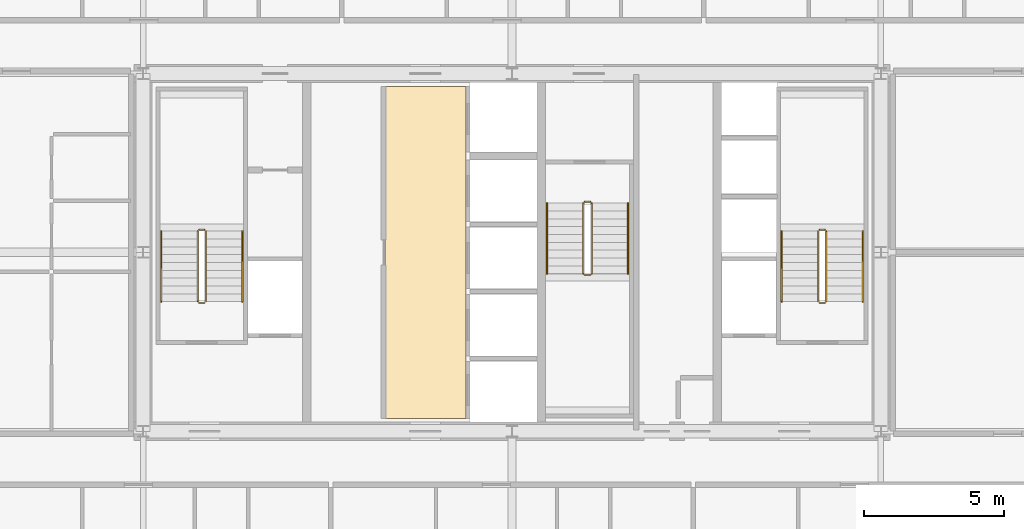
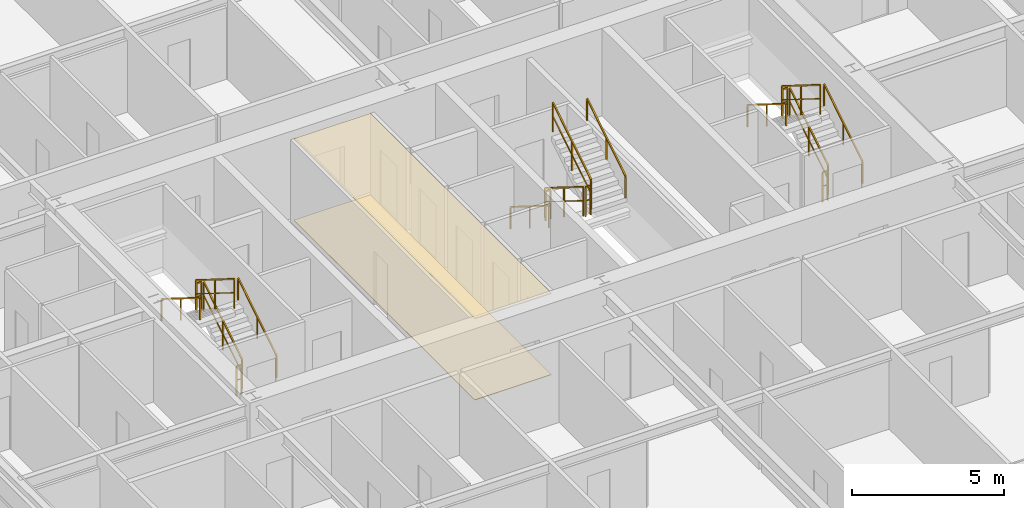
# One storey, part 38 of 38: 18 railings, 2 coverings.
"""IFC4 building model written with IfcOpenShell, lengths in metres."""

from ifc_helpers import new_model, si_unit, direction, frame, origin, origin_2d, place, context, subcontext, project, spatial, polyline, rectangle, outline, extrude, source, transform, mapped, material, layer, layer_set, type_object, element, save


model = new_model("IFC4")

# Units and contexts
model_context = context("Model", 3, precision=1e-05, world=origin(), true_north=direction((0.0, 1.0)))
body_context = subcontext(model_context, "Body", "Model", "MODEL_VIEW")
ifc_project = project(units=[si_unit("LENGTHUNIT", "METRE"), si_unit("AREAUNIT", "SQUARE_METRE"), si_unit("VOLUMEUNIT", "CUBIC_METRE"), si_unit("PLANEANGLEUNIT", "RADIAN"), si_unit("MASSUNIT", "GRAM", prefix="KILO"), si_unit("THERMODYNAMICTEMPERATUREUNIT", "KELVIN"), si_unit("POWERUNIT", "WATT")], contexts=[model_context])

# Site, building, storey
site_placement = place(None, origin())
site = spatial("IfcSite", under=ifc_project, at=site_placement, CompositionType="ELEMENT")
building_placement = place(site_placement, origin())
building = spatial("IfcBuilding", under=site, at=building_placement, Name="Yuzanri Waterfront Tower", CompositionType="ELEMENT")
storey_placement = place(building_placement, frame((0.0, 0.0, 209.0)))
storey = spatial("IfcBuildingStorey", under=building, at=storey_placement, Name="L55", CompositionType="ELEMENT", Elevation=209.0)

# Coverings
ifc_material_1 = material(Name="Engineered Smoked-Oak Timber", Category="wood")
ifc_layer_1 = layer(ifc_material_1, 0.02197265625)
ifc_layer_set_1 = layer_set([ifc_layer_1], Name="Engineered Smoked-Oak Timber")
covering_type_1 = type_object("IfcCoveringType", Name="Engineered Smoked-Oak Residence Flooring 22", PredefinedType="FLOORING", material=ifc_layer_set_1)
covering_1_placement = place(storey_placement, origin())
element("IfcCovering", 1, at=covering_1_placement, inside=storey, type_object=covering_type_1, Name="L55 Smoked-Oak Floor Finish", PredefinedType="FLOORING", context=body_context, shape_type="SweptSolid", body=[
    extrude(outline(polyline([(32.449951171875, 19.860107421875), (35.35009765625, 19.860107421875), (35.35009765625, 31.739990234375), (32.449951171875, 31.739990234375), (32.449951171875, 19.860107421875)])), origin(), (0.0, 0.0, 1.0), 0.02197265625),
])
ifc_material_2 = material(Name="Acoustic Mineral-Fibre Ceiling Board", Category="gypsum")
ifc_layer_2 = layer(ifc_material_2, 0.02490234375)
ifc_layer_set_2 = layer_set([ifc_layer_2], Name="Acoustic Mineral-Fibre Ceiling Board")
covering_type_2 = type_object("IfcCoveringType", Name="Perforated Mineral-Fibre Acoustic Ceiling Tile 25", PredefinedType="CEILING", material=ifc_layer_set_2)
covering_2_placement = place(storey_placement, frame((0.0, 0.0, 3.2548828125)))
element("IfcCovering", 2, at=covering_2_placement, inside=storey, type_object=covering_type_2, Name="L55 Acoustic Mineral-Fibre Ceiling", PredefinedType="CEILING", context=body_context, shape_type="SweptSolid", body=[
    extrude(outline(polyline([(32.449951171875, 19.860107421875), (35.35009765625, 19.860107421875), (35.35009765625, 31.739990234375), (32.449951171875, 31.739990234375), (32.449951171875, 19.860107421875)])), origin(), (0.0, 0.0, 1.0), 0.025146484375),
])

# Railings
ifc_material_3 = material(Name="Painted Galvanized Fire Steel", Category="steel")
ifc_layer_3 = layer(ifc_material_3, 0.06005859375)
ifc_layer_set_3 = layer_set([ifc_layer_3], Name="Painted Galvanized Fire Steel")
railing_type_1 = type_object("IfcRailingType", Name="Painted Steel Stairwell Guardrail 1120", PredefinedType="GUARDRAIL", material=ifc_layer_set_3)
shared_shape_1 = source(origin(), body_context, "Body", "SweptSolid", [
    extrude(rectangle(XDim=0.050048828125, YDim=0.050048828125, at=origin_2d()), frame((0.0, 0.0, 1.1748046875), z_axis=(-1.0, 0.0, 0.0), x_axis=(0.0, -1.0, 0.0)), (0.0, 0.0, 1.0), 0.199951171875),
    extrude(rectangle(XDim=0.035888671875, YDim=0.030029296875, at=origin_2d()), frame((0.0, 0.0, 0.6240234375), z_axis=(-1.0, 0.0, 0.0), x_axis=(0.0, -1.0, 0.0)), (0.0, 0.0, 1.0), 0.199951171875),
    extrude(rectangle(XDim=0.0458984375, YDim=0.0458984375, at=origin_2d()), origin(), (0.0, 0.0, 1.0), 1.14990234375),
    extrude(rectangle(XDim=0.0458984375, YDim=0.0458984375, at=origin_2d()), frame((-0.199951171875, 0.0, 0.0)), (0.0, 0.0, 1.0), 1.14990234375),
])
for number, where, name in (
    (3, (26.0, 26.610107421875, 1.75), "L55 ST-01 stair guard 2"),
    (4, (26.0, 23.989990234375, 0.0), "L55 ST-01 stair guard 4"),
    (5, (48.199951171875, 26.610107421875, 1.75), "L55 ST-02 stair guard 2"),
    (6, (48.199951171875, 23.989990234375, 0.0), "L55 ST-02 stair guard 4"),
):
    element("IfcRailing", number, at=place(storey_placement, frame(where)), inside=storey, type_object=railing_type_1, Name=name, PredefinedType="GUARDRAIL", context=body_context, shape_type="MappedRepresentation", body=[
        mapped(shared_shape_1, transform((0.0, 0.0, 0.0), scale=1.0)),
    ])
shared_shape_2 = source(origin(), body_context, "Body", "SweptSolid", [
    extrude(rectangle(XDim=0.050048828125, YDim=0.050048828125, at=origin_2d()), frame((0.0, 0.0, 1.1748046875), z_axis=(0.0, 0.848007534815, 0.529984170421), x_axis=(-1.0, 0.0, 0.0)), (0.0, 0.0, 1.0), 2.9716796875),
    extrude(rectangle(XDim=0.035888671875, YDim=0.030029296875, at=origin_2d()), frame((0.0, 0.0, 0.6240234375), z_axis=(0.0, 0.848007534815, 0.529984170421), x_axis=(-1.0, 0.0, 0.0)), (0.0, 0.0, 1.0), 2.9716796875),
    extrude(rectangle(XDim=0.0458984375, YDim=0.0458984375, at=origin_2d()), origin(), (0.0, 0.0, 1.0), 1.14990234375),
    extrude(rectangle(XDim=0.0458984375, YDim=0.0458984375, at=origin_2d()), frame((0.0, 1.260009765625, 0.78759765625)), (0.0, 0.0, 1.0), 1.14990234375),
    extrude(rectangle(XDim=0.0458984375, YDim=0.0458984375, at=origin_2d()), frame((0.0, 2.52001953125, 1.574951171875)), (0.0, 0.0, 1.0), 1.14990234375),
])
for number, where, name in (
    (7, (26.050048828125, 24.0400390625, 0.175048828125), "L55 ST-01 stair guard 1"),
    (8, (48.25, 24.0400390625, 0.175048828125), "L55 ST-02 stair guard 1"),
    (9, (39.85009765625, 25.0400390625, 1.925048828125), "L55 ST-03 stair guard 3"),
):
    element("IfcRailing", number, at=place(storey_placement, frame(where)), inside=storey, type_object=railing_type_1, Name=name, PredefinedType="GUARDRAIL", context=body_context, shape_type="MappedRepresentation", body=[
        mapped(shared_shape_2, transform((0.0, 0.0, 0.0), scale=1.0)),
    ])
shared_shape_3 = source(origin(), body_context, "Body", "SweptSolid", [
    extrude(rectangle(XDim=0.050048828125, YDim=0.050048828125, at=origin_2d()), frame((0.0, 0.0, 1.1748046875), z_axis=(0.0, -0.848007534815, 0.529984170421), x_axis=(1.0, 0.0, 0.0)), (0.0, 0.0, 1.0), 2.9716796875),
    extrude(rectangle(XDim=0.035888671875, YDim=0.030029296875, at=origin_2d()), frame((0.0, 0.0, 0.6240234375), z_axis=(0.0, -0.848007534815, 0.529984170421), x_axis=(1.0, 0.0, 0.0)), (0.0, 0.0, 1.0), 2.9716796875),
    extrude(rectangle(XDim=0.0458984375, YDim=0.0458984375, at=origin_2d()), origin(), (0.0, 0.0, 1.0), 1.14990234375),
    extrude(rectangle(XDim=0.0458984375, YDim=0.0458984375, at=origin_2d()), frame((0.0, -1.260009765625, 0.78759765625)), (0.0, 0.0, 1.0), 1.14990234375),
    extrude(rectangle(XDim=0.0458984375, YDim=0.0458984375, at=origin_2d()), frame((0.0, -2.52001953125, 1.574951171875)), (0.0, 0.0, 1.0), 1.14990234375),
])
for number, where, name in (
    (10, (25.75, 26.56005859375, 1.925048828125), "L55 ST-01 stair guard 3"),
    (11, (47.949951171875, 26.56005859375, 1.925048828125), "L55 ST-02 stair guard 3"),
    (12, (39.550048828125, 27.56005859375, 0.175048828125), "L55 ST-03 stair guard 1"),
):
    element("IfcRailing", number, at=place(storey_placement, frame(where)), inside=storey, type_object=railing_type_1, Name=name, PredefinedType="GUARDRAIL", context=body_context, shape_type="MappedRepresentation", body=[
        mapped(shared_shape_3, transform((0.0, 0.0, 0.0), scale=1.0)),
    ])
ifc_material_4 = material(Name="Anodized Architectural Bronze", Category="metal")
ifc_layer_4 = layer(ifc_material_4, 0.050048828125)
ifc_layer_set_4 = layer_set([ifc_layer_4], Name="Anodized Architectural Bronze")
railing_type_2 = type_object("IfcRailingType", Name="Brushed Bronze Stair Pitch Handrail 920", PredefinedType="HANDRAIL", material=ifc_layer_set_4)
shared_shape_4 = source(origin(), body_context, "Body", "SweptSolid", [
    extrude(rectangle(XDim=0.050048828125, YDim=0.050048828125, at=origin_2d()), frame((0.0, 0.0, 0.875), z_axis=(0.0, 0.848007534815, 0.529984170421), x_axis=(-1.0, 0.0, 0.0)), (0.0, 0.0, 1.0), 2.9716796875),
    extrude(rectangle(XDim=0.0458984375, YDim=0.0458984375, at=origin_2d()), origin(), (0.0, 0.0, 1.0), 0.849853515625),
    extrude(rectangle(XDim=0.0458984375, YDim=0.0458984375, at=origin_2d()), frame((0.0, 1.260009765625, 0.78759765625)), (0.0, 0.0, 1.0), 0.849853515625),
    extrude(rectangle(XDim=0.0458984375, YDim=0.0458984375, at=origin_2d()), frame((0.0, 2.52001953125, 1.574951171875)), (0.0, 0.0, 1.0), 0.849853515625),
])
for number, where, name in (
    (13, (27.35009765625, 24.0400390625, 0.175048828125), "L55 ST-01 stair handrail 1"),
    (14, (49.550048828125, 24.0400390625, 0.175048828125), "L55 ST-02 stair handrail 1"),
    (15, (41.14990234375, 25.0400390625, 1.925048828125), "L55 ST-03 stair handrail 2"),
):
    element("IfcRailing", number, at=place(storey_placement, frame(where)), inside=storey, type_object=railing_type_2, Name=name, PredefinedType="HANDRAIL", context=body_context, shape_type="MappedRepresentation", body=[
        mapped(shared_shape_4, transform((0.0, 0.0, 0.0), scale=1.0)),
    ])
shared_shape_5 = source(origin(), body_context, "Body", "SweptSolid", [
    extrude(rectangle(XDim=0.050048828125, YDim=0.050048828125, at=origin_2d()), frame((0.0, 0.0, 0.875), z_axis=(0.0, -0.848007534815, 0.529984170421), x_axis=(1.0, 0.0, 0.0)), (0.0, 0.0, 1.0), 2.9716796875),
    extrude(rectangle(XDim=0.0458984375, YDim=0.0458984375, at=origin_2d()), origin(), (0.0, 0.0, 1.0), 0.849853515625),
    extrude(rectangle(XDim=0.0458984375, YDim=0.0458984375, at=origin_2d()), frame((0.0, -1.260009765625, 0.78759765625)), (0.0, 0.0, 1.0), 0.849853515625),
    extrude(rectangle(XDim=0.0458984375, YDim=0.0458984375, at=origin_2d()), frame((0.0, -2.52001953125, 1.574951171875)), (0.0, 0.0, 1.0), 0.849853515625),
])
for number, where, name in (
    (16, (24.449951171875, 26.56005859375, 1.925048828125), "L55 ST-01 stair handrail 2"),
    (17, (46.64990234375, 26.56005859375, 1.925048828125), "L55 ST-02 stair handrail 2"),
    (18, (38.25, 27.56005859375, 0.175048828125), "L55 ST-03 stair handrail 1"),
):
    element("IfcRailing", number, at=place(storey_placement, frame(where)), inside=storey, type_object=railing_type_2, Name=name, PredefinedType="HANDRAIL", context=body_context, shape_type="MappedRepresentation", body=[
        mapped(shared_shape_5, transform((0.0, 0.0, 0.0), scale=1.0)),
    ])
shared_shape_6 = source(origin(), body_context, "Body", "SweptSolid", [
    extrude(rectangle(XDim=0.050048828125, YDim=0.050048828125, at=origin_2d()), frame((0.0, 0.0, 1.1748046875), z_axis=(1.0, 0.0, 0.0), x_axis=(0.0, 1.0, 0.0)), (0.0, 0.0, 1.0), 0.199951171875),
    extrude(rectangle(XDim=0.035888671875, YDim=0.030029296875, at=origin_2d()), frame((0.0, 0.0, 0.6240234375), z_axis=(1.0, 0.0, 0.0), x_axis=(0.0, 1.0, 0.0)), (0.0, 0.0, 1.0), 0.199951171875),
    extrude(rectangle(XDim=0.0458984375, YDim=0.0458984375, at=origin_2d()), origin(), (0.0, 0.0, 1.0), 1.14990234375),
    extrude(rectangle(XDim=0.0458984375, YDim=0.0458984375, at=origin_2d()), frame((0.199951171875, 0.0, 0.0)), (0.0, 0.0, 1.0), 1.14990234375),
])
for number, where, name in (
    (19, (39.60009765625, 24.989990234375, 1.75), "L55 ST-03 stair guard 2"),
    (20, (39.60009765625, 27.610107421875, 0.0), "L55 ST-03 stair guard 4"),
):
    element("IfcRailing", number, at=place(storey_placement, frame(where)), inside=storey, type_object=railing_type_1, Name=name, PredefinedType="GUARDRAIL", context=body_context, shape_type="MappedRepresentation", body=[
        mapped(shared_shape_6, transform((0.0, 0.0, 0.0), scale=1.0)),
    ])

save(model, "model.ifc")
